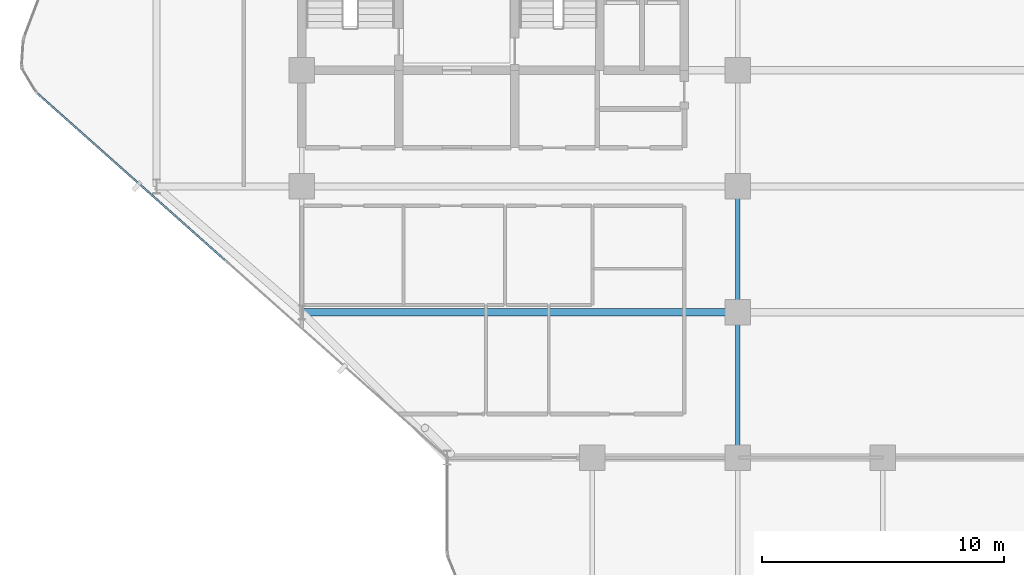
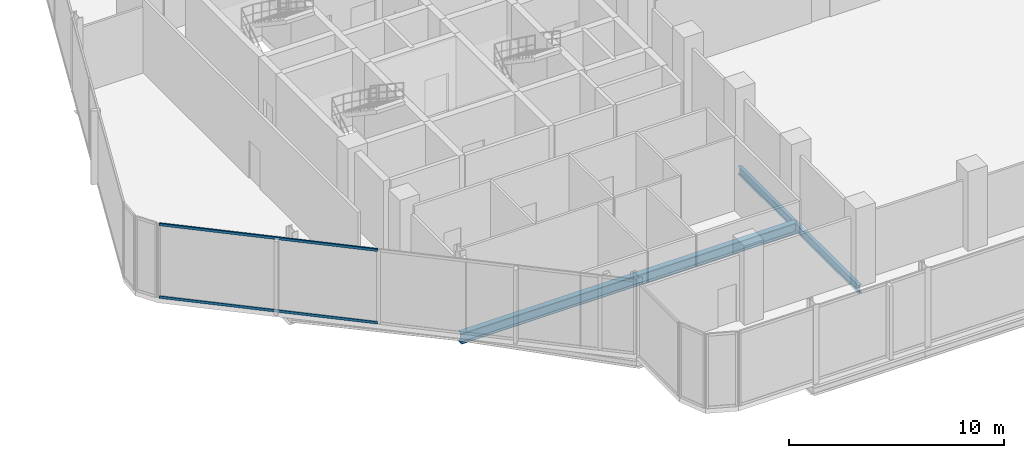
# One storey, part 5 of 31: 3 beams, 2 members, 1 element without a shape of its own.
"""IFC4 building model written with IfcOpenShell, lengths in metres."""

from ifc_helpers import new_model, si_unit, direction, frame, origin, origin_2d, place, context, subcontext, project, spatial, hollow_rectangle, i_section, extrude, material, layer, layer_set, material_profile, profile_set, type_object, element, aggregate, save


model = new_model("IFC4")

# Units and contexts
model_context = context("Model", 3, precision=1e-05, world=origin(), true_north=direction((0.0, 1.0)))
body_context = subcontext(model_context, "Body", "Model", "MODEL_VIEW")
ifc_project = project(units=[si_unit("LENGTHUNIT", "METRE"), si_unit("AREAUNIT", "SQUARE_METRE"), si_unit("VOLUMEUNIT", "CUBIC_METRE"), si_unit("PLANEANGLEUNIT", "RADIAN"), si_unit("MASSUNIT", "GRAM", prefix="KILO")], contexts=[model_context])

# Site, building, storey
site_placement = place(None, origin())
site = spatial("IfcSite", under=ifc_project, at=site_placement, CompositionType="ELEMENT")
building_placement = place(site_placement, origin())
building = spatial("IfcBuilding", under=site, at=building_placement, Name="Keshet Zoharim Tower", CompositionType="ELEMENT")
storey_placement = place(building_placement, frame((0.0, 0.0, 125.300048828125)))
storey = spatial("IfcBuildingStorey", under=building, at=storey_placement, Name="L30", CompositionType="ELEMENT", Elevation=125.300048828125)

# Beams
ifc_material_1 = material(Name="Steel S355", Category="steel")
ifc_material_profile_1 = material_profile(ifc_material_1, i_section(OverallWidth=0.300048828125, OverallDepth=0.60009765625, WebThickness=0.015380859375, FlangeThickness=0.030029296875, FilletRadius=0.027099609375, at=origin_2d()), Name="HEB600")
ifc_profile_set_1 = profile_set([ifc_material_profile_1], Name="Steel S355")
beam_type_1 = type_object("IfcBeamType", Name="BM-LNG-HB600", PredefinedType="BEAM", material=ifc_profile_set_1)
beam_1_placement = place(storey_placement, frame((15.0, 12.699951171875, -0.6201171875), z_axis=(1.0, 0.0, 0.0), x_axis=(0.0, 1.0, 0.0)))
element("IfcBeam", 1, at=beam_1_placement, inside=storey, type_object=beam_type_1, Name="L30 Primary Girder X-009", PredefinedType="BEAM", context=body_context, shape_type="SweptSolid", body=[
    extrude(i_section(OverallWidth=0.300048828125, OverallDepth=0.60009765625, WebThickness=0.015380859375, FlangeThickness=0.030029296875, FilletRadius=0.027099609375, at=origin_2d()), origin(), (0.0, 0.0, 1.0), 18.0),
])
ifc_material_profile_2 = material_profile(ifc_material_1, i_section(OverallWidth=0.18994140625, OverallDepth=0.449951171875, WebThickness=0.009521484375, FlangeThickness=0.0146484375, FilletRadius=0.02099609375, at=origin_2d()), Name="IPE450")
ifc_profile_set_2 = profile_set([ifc_material_profile_2], Name="Steel S355")
beam_type_2 = type_object("IfcBeamType", Name="BM-PRI-IP450", PredefinedType="BEAM", material=ifc_profile_set_2)
beam_2_placement = place(storey_placement, frame((33.0, 6.699951171875, -0.545166015625), z_axis=(0.0, 1.0, 0.0), x_axis=(-1.0, 0.0, 0.0)))
element("IfcBeam", 2, at=beam_2_placement, inside=storey, type_object=beam_type_2, Name="L30 Primary Girder Y-006", PredefinedType="BEAM", context=body_context, shape_type="SweptSolid", body=[
    extrude(i_section(OverallWidth=0.18994140625, OverallDepth=0.449951171875, WebThickness=0.009521484375, FlangeThickness=0.0146484375, FilletRadius=0.02099609375, at=origin_2d()), origin(), (0.0, 0.0, 1.0), 6.0),
])
beam_3_placement = place(storey_placement, frame((33.0, 12.699951171875, -0.545166015625), z_axis=(0.0, 1.0, 0.0), x_axis=(-1.0, 0.0, 0.0)))
element("IfcBeam", 3, at=beam_3_placement, inside=storey, type_object=beam_type_2, Name="L30 Primary Girder Y-007", PredefinedType="BEAM", context=body_context, shape_type="SweptSolid", body=[
    extrude(i_section(OverallWidth=0.18994140625, OverallDepth=0.449951171875, WebThickness=0.009521484375, FlangeThickness=0.0146484375, FilletRadius=0.02099609375, at=origin_2d()), origin(), (0.0, 0.0, 1.0), 5.199951171875),
])

# Curtain wall, members
ifc_material_2 = material(Name="Aluminium 6063-T6", Category="aluminium")
ifc_layer = layer(ifc_material_2, 0.14990234375)
ifc_layer_set = layer_set([ifc_layer], Name="Aluminium 6063-T6")
curtain_wall_type = type_object("IfcCurtainWallType", Name="CW-SYS-04", PredefinedType="NOTDEFINED", material=ifc_layer_set)
curtain_wall_placement = place(storey_placement, origin())
curtain_wall = element("IfcCurtainWall", 4, at=curtain_wall_placement, inside=storey, type_object=curtain_wall_type, Name="L30 Unitised Curtain Wall 13 Part 2", PredefinedType="NOTDEFINED")
ifc_material_profile_3 = material_profile(ifc_material_2, hollow_rectangle(XDim=0.080078125, YDim=0.139892578125, WallThickness=0.00390625, at=origin_2d()), Name="TRN-80x140")
ifc_profile_set_3 = profile_set([ifc_material_profile_3], Name="Aluminium 6063-T6")
member_type = type_object("IfcMemberType", Name="CWT-T14", PredefinedType="USERDEFINED", material=ifc_profile_set_3)
member_1_placement = place(storey_placement, frame((11.83740234375, 14.8447265625, 0.034912109375), z_axis=(-0.747419710969, 0.664352147325, 0.0), x_axis=(-0.664352147325, -0.747419710969, 0.0)))
member_1 = element("IfcMember", 5, at=member_1_placement, type_object=member_type, Name="CW-04 transom 2.1", ObjectType="TRANSOM", PredefinedType="USERDEFINED", context=body_context, shape_type="SweptSolid", body=[
    extrude(hollow_rectangle(XDim=0.080078125, YDim=0.139892578125, WallThickness=0.00390625, at=origin_2d()), origin(), (0.0, 0.0, 1.0), 10.368896484375),
])
member_2_placement = place(storey_placement, frame((11.83740234375, 14.8447265625, 4.14990234375), z_axis=(-0.747419710969, 0.664352147325, 0.0), x_axis=(-0.664352147325, -0.747419710969, 0.0)))
member_2 = element("IfcMember", 6, at=member_2_placement, type_object=member_type, Name="CW-04 transom 2.2", ObjectType="TRANSOM", PredefinedType="USERDEFINED", context=body_context, shape_type="SweptSolid", body=[
    extrude(hollow_rectangle(XDim=0.080078125, YDim=0.139892578125, WallThickness=0.00390625, at=origin_2d()), origin(), (0.0, 0.0, 1.0), 10.368896484375),
])
aggregate(curtain_wall, [member_1, member_2])

save(model, "model.ifc")
